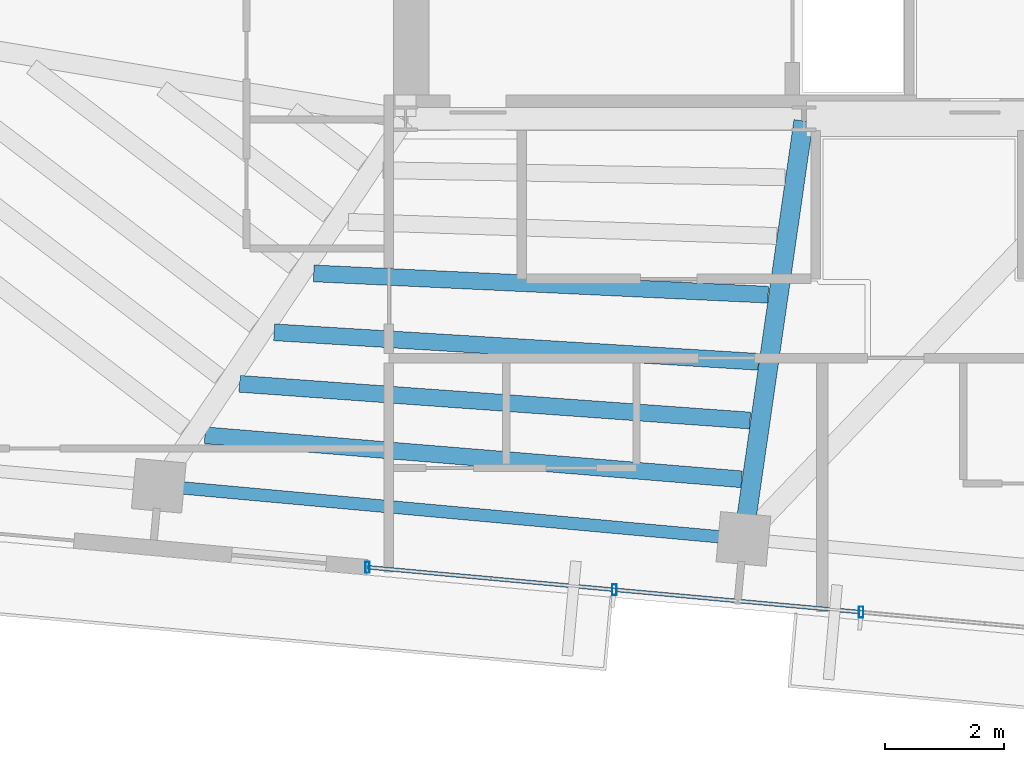
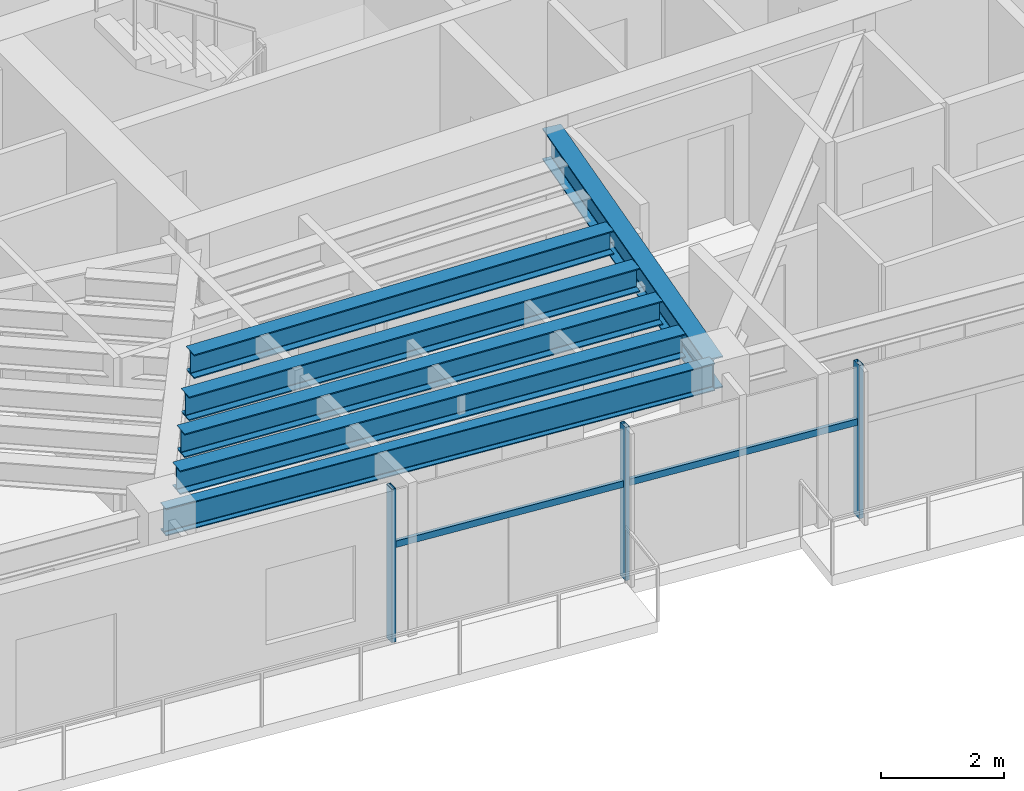
# One storey, part 6 of 22: 6 beams, 5 members, 1 element without a shape of its own.
"""IFC4 building model written with IfcOpenShell, lengths in metres."""

from ifc_helpers import new_model, si_unit, direction, frame, origin, origin_2d, place, context, subcontext, project, spatial, hollow_rectangle, i_section, extrude, source, transform, mapped, material, material_profile, profile_set, type_object, type_shapes, element, aggregate, save


model = new_model("IFC4")

# Units and contexts
model_context = context("Model", 3, precision=1e-05, world=origin(), true_north=direction((0.0, 1.0)))
body_context = subcontext(model_context, "Body", "Model", "MODEL_VIEW")
ifc_project = project(units=[si_unit("LENGTHUNIT", "METRE"), si_unit("AREAUNIT", "SQUARE_METRE"), si_unit("VOLUMEUNIT", "CUBIC_METRE"), si_unit("PLANEANGLEUNIT", "RADIAN"), si_unit("MASSUNIT", "GRAM", prefix="KILO")], contexts=[model_context])

# Site, building, storey
site_placement = place(None, origin())
site = spatial("IfcSite", under=ifc_project, at=site_placement, CompositionType="ELEMENT")
building_placement = place(site_placement, origin())
building = spatial("IfcBuilding", under=site, at=building_placement, Name="Astriad Promenade Condominiums", CompositionType="ELEMENT")
storey_placement = place(building_placement, frame((0.0, 0.0, 243.0)))
storey = spatial("IfcBuildingStorey", under=building, at=storey_placement, Name="L70", CompositionType="ELEMENT", Elevation=243.0)

# Beams
ifc_material_1 = material(Name="Steel ASTM A992 Grade 50", Category="steel")
ifc_material_profile_1 = material_profile(ifc_material_1, i_section(OverallWidth=0.210693359375, OverallDepth=0.53955078125, WebThickness=0.01171875, FlangeThickness=0.018798828125, FilletRadius=0.0166015625, at=origin_2d()), Name="W21X73")
ifc_profile_set_1 = profile_set([ifc_material_profile_1], Name="Steel ASTM A992 Grade 50")
beam_type_1 = type_object("IfcBeamType", Name="STEEL SPANDREL BEAM W21X73", PredefinedType="SPANDREL", material=ifc_profile_set_1)
shared_shape_1 = source(origin(), body_context, "Body", "SweptSolid", [
    extrude(i_section(OverallWidth=0.210693359375, OverallDepth=0.53955078125, WebThickness=0.01171875, FlangeThickness=0.018798828125, FilletRadius=0.0166015625, at=origin_2d()), origin(), (0.0, 0.0, 1.0), 9.81982421875),
])
type_shapes(beam_type_1, [shared_shape_1])
beam_1_placement = place(storey_placement, frame((22.281005859375, 11.205322265625, 2.770263671875), z_axis=(0.995885459014, -0.090620927631, 0.0), x_axis=(0.090620927631, 0.995885459014, 0.0)))
element("IfcBeam", 1, at=beam_1_placement, inside=storey, type_object=beam_type_1, Name="Perimeter Spandrel Beam SP-S2-L70", PredefinedType="SPANDREL", context=body_context, shape_type="MappedRepresentation", body=[
    mapped(shared_shape_1, transform((0.0, 0.0, 0.0), scale=1.0)),
])
ifc_material_profile_2 = material_profile(ifc_material_1, i_section(OverallWidth=0.326416015625, OverallDepth=0.621826171875, WebThickness=0.015380859375, FlangeThickness=0.0244140625, FilletRadius=0.017822265625, at=origin_2d()), Name="W24X131")
ifc_profile_set_2 = profile_set([ifc_material_profile_2], Name="Steel ASTM A992 Grade 50")
beam_type_2 = type_object("IfcBeamType", Name="STEEL FLOOR GIRDER W24X131", PredefinedType="BEAM", material=ifc_profile_set_2)
shared_shape_2 = source(origin(), body_context, "Body", "SweptSolid", [
    extrude(i_section(OverallWidth=0.326416015625, OverallDepth=0.621826171875, WebThickness=0.015380859375, FlangeThickness=0.0244140625, FilletRadius=0.017822265625, at=origin_2d()), origin(), (0.0, 0.0, 1.0), 7.081298828125),
])
type_shapes(beam_type_2, [shared_shape_2])
beam_2_placement = place(storey_placement, frame((32.10595703125, 10.351318359375, 2.72900390625), z_axis=(0.142391481124, 0.989810419274, 0.0), x_axis=(-0.989810419274, 0.142391481124, 0.0)))
element("IfcBeam", 2, at=beam_2_placement, inside=storey, type_object=beam_type_2, Name="Primary Floor Girder PG-C1-L70", PredefinedType="BEAM", context=body_context, shape_type="MappedRepresentation", body=[
    mapped(shared_shape_2, transform((0.0, 0.0, 0.0), scale=1.0)),
])
ifc_material_profile_3 = material_profile(ifc_material_1, i_section(OverallWidth=0.283203125, OverallDepth=0.47216796875, WebThickness=0.013671875, FlangeThickness=0.022216796875, FilletRadius=0.01513671875, at=origin_2d()), Name="W18X97")
ifc_profile_set_3 = profile_set([ifc_material_profile_3], Name="Steel ASTM A992 Grade 50")
beam_type_3 = type_object("IfcBeamType", Name="STEEL FLOOR JOIST W18X97", PredefinedType="JOIST", material=ifc_profile_set_3)
shared_shape_3 = source(origin(), body_context, "Body", "SweptSolid", [
    extrude(i_section(OverallWidth=0.283203125, OverallDepth=0.47216796875, WebThickness=0.013671875, FlangeThickness=0.022216796875, FilletRadius=0.01513671875, at=origin_2d()), origin(), (0.0, 0.0, 1.0), 9.08056640625),
])
beam_3_placement = place(storey_placement, frame((23.019775390625, 12.059814453125, 2.803955078125), z_axis=(0.996660857814, -0.081652522934, 0.0), x_axis=(0.081652522934, 0.996660857814, 0.0)))
element("IfcBeam", 3, at=beam_3_placement, inside=storey, type_object=beam_type_3, Name="Secondary Composite Floor Joist JCW-1-L70", PredefinedType="JOIST", context=body_context, shape_type="MappedRepresentation", body=[
    mapped(shared_shape_3, transform((0.0, 0.0, 0.0), scale=1.0)),
])
shared_shape_4 = source(origin(), body_context, "Body", "SweptSolid", [
    extrude(i_section(OverallWidth=0.283203125, OverallDepth=0.47216796875, WebThickness=0.013671875, FlangeThickness=0.022216796875, FilletRadius=0.01513671875, at=origin_2d()), origin(), (0.0, 0.0, 1.0), 8.631591796875),
])
beam_4_placement = place(storey_placement, frame((23.603271484375, 12.92822265625, 2.803955078125), z_axis=(0.997424124914, -0.071729457259, 0.0), x_axis=(0.071729457259, 0.997424124914, 0.0)))
element("IfcBeam", 4, at=beam_4_placement, inside=storey, type_object=beam_type_3, Name="Secondary Composite Floor Joist JCW-2-L70", PredefinedType="JOIST", context=body_context, shape_type="MappedRepresentation", body=[
    mapped(shared_shape_4, transform((0.0, 0.0, 0.0), scale=1.0)),
])
shared_shape_5 = source(origin(), body_context, "Body", "SweptSolid", [
    extrude(i_section(OverallWidth=0.283203125, OverallDepth=0.47216796875, WebThickness=0.013671875, FlangeThickness=0.022216796875, FilletRadius=0.01513671875, at=origin_2d()), origin(), (0.0, 0.0, 1.0), 8.183349609375),
])
beam_5_placement = place(storey_placement, frame((24.186767578125, 13.797119140625, 2.803955078125), z_axis=(0.998148077796, -0.06083103478, 0.0), x_axis=(0.06083103478, 0.998148077796, 0.0)))
element("IfcBeam", 5, at=beam_5_placement, inside=storey, type_object=beam_type_3, Name="Secondary Composite Floor Joist JCW-3-L70", PredefinedType="JOIST", context=body_context, shape_type="MappedRepresentation", body=[
    mapped(shared_shape_5, transform((0.0, 0.0, 0.0), scale=1.0)),
])
shared_shape_6 = source(origin(), body_context, "Body", "SweptSolid", [
    extrude(i_section(OverallWidth=0.283203125, OverallDepth=0.47216796875, WebThickness=0.013671875, FlangeThickness=0.022216796875, FilletRadius=0.01513671875, at=origin_2d()), origin(), (0.0, 0.0, 1.0), 7.672119140625),
])
type_shapes(beam_type_3, [shared_shape_3, shared_shape_4, shared_shape_5, shared_shape_6])
beam_6_placement = place(storey_placement, frame((24.85400390625, 14.790283203125, 2.803955078125), z_axis=(0.998903848677, -0.04680919886, 0.0), x_axis=(0.04680919886, 0.998903848677, 0.0)))
element("IfcBeam", 6, at=beam_6_placement, inside=storey, type_object=beam_type_3, Name="Secondary Composite Floor Joist JCW-4-L70", PredefinedType="JOIST", context=body_context, shape_type="MappedRepresentation", body=[
    mapped(shared_shape_6, transform((0.0, 0.0, 0.0), scale=1.0)),
])

# Curtain wall, members
ifc_material_2 = material(Name="Anodised aluminium Black Dark Glass Unitised", Category="aluminium")
curtain_wall_type = type_object("IfcCurtainWallType", Name="CW-B5-DARK", PredefinedType="USERDEFINED", material=ifc_material_2)
curtain_wall_placement = place(storey_placement, origin())
curtain_wall = element("IfcCurtainWall", 7, at=curtain_wall_placement, inside=storey, type_object=curtain_wall_type, Name="CW-L70-S", ObjectType="UNITISED_CURTAIN_WALL", PredefinedType="USERDEFINED")
ifc_material_3 = material(Name="Anodised aluminium 6063-T6 Black", Category="aluminium")
ifc_material_profile_4 = material_profile(ifc_material_3, hollow_rectangle(XDim=0.06494140625, YDim=0.1298828125, WallThickness=0.00390625, at=origin_2d()), Name="ALU-TRN-65X130")
ifc_profile_set_4 = profile_set([ifc_material_profile_4], Name="Anodised aluminium 6063-T6 Black")
member_type_1 = type_object("IfcMemberType", Name="TRN-ALU-TRN-65X130", PredefinedType="USERDEFINED", material=ifc_profile_set_4)
shared_shape_7 = source(origin(), body_context, "Body", "SweptSolid", [
    extrude(hollow_rectangle(XDim=0.06494140625, YDim=0.1298828125, WallThickness=0.00390625, at=origin_2d()), origin(), (0.0, 0.0, 1.0), 4.179931640625),
])
type_shapes(member_type_1, [shared_shape_7])
member_1_placement = place(storey_placement, frame((34.086669921875, 9.07666015625, 1.884765625), z_axis=(-0.995883146811, 0.090646334165, 0.0), x_axis=(-0.090646334165, -0.995883146811, 0.0)))
member_1 = element("IfcMember", 8, at=member_1_placement, type_object=member_type_1, Name="CW-L70-S-TRN-01-0", ObjectType="TRANSOM", PredefinedType="USERDEFINED", context=body_context, shape_type="MappedRepresentation", body=[
    mapped(shared_shape_7, transform((0.0, 0.0, 0.0), scale=1.0)),
])
member_2_placement = place(storey_placement, frame((29.923828125, 9.45556640625, 1.884765625), z_axis=(-0.995883146811, 0.090646334165, 0.0), x_axis=(-0.090646334165, -0.995883146811, 0.0)))
member_2 = element("IfcMember", 9, at=member_2_placement, type_object=member_type_1, Name="CW-L70-S-TRN-02-0", ObjectType="TRANSOM", PredefinedType="USERDEFINED", context=body_context, shape_type="MappedRepresentation", body=[
    mapped(shared_shape_7, transform((0.0, 0.0, 0.0), scale=1.0)),
])
ifc_material_profile_5 = material_profile(ifc_material_3, hollow_rectangle(XDim=0.074951171875, YDim=0.18505859375, WallThickness=0.00439453125, at=origin_2d()), Name="ALU-MUL-75X185")
ifc_profile_set_5 = profile_set([ifc_material_profile_5], Name="Anodised aluminium 6063-T6 Black")
member_type_2 = type_object("IfcMemberType", Name="MUL-ALU-MUL-75X185", PredefinedType="MULLION", material=ifc_profile_set_5)
shared_shape_8 = source(origin(), body_context, "Body", "SweptSolid", [
    extrude(hollow_rectangle(XDim=0.074951171875, YDim=0.18505859375, WallThickness=0.00439453125, at=origin_2d()), origin(), (0.0, 0.0, 1.0), 3.0400390625),
])
type_shapes(member_type_2, [shared_shape_8])
member_3_placement = place(storey_placement, frame((34.086669921875, 9.07666015625, 0.0), z_axis=(0.0, 0.0, 1.0), x_axis=(1.0, 0.0, 0.0)))
member_3 = element("IfcMember", 10, at=member_3_placement, type_object=member_type_2, Name="CW-L70-S-MUL-01", PredefinedType="MULLION", context=body_context, shape_type="MappedRepresentation", body=[
    mapped(shared_shape_8, transform((0.0, 0.0, 0.0), scale=1.0)),
])
member_4_placement = place(storey_placement, frame((29.923828125, 9.45556640625, 0.0), z_axis=(0.0, 0.0, 1.0), x_axis=(1.0, 0.0, 0.0)))
member_4 = element("IfcMember", 11, at=member_4_placement, type_object=member_type_2, Name="CW-L70-S-MUL-02", PredefinedType="MULLION", context=body_context, shape_type="MappedRepresentation", body=[
    mapped(shared_shape_8, transform((0.0, 0.0, 0.0), scale=1.0)),
])
member_5_placement = place(storey_placement, frame((25.760986328125, 9.83447265625, 0.0), z_axis=(0.0, 0.0, 1.0), x_axis=(1.0, 0.0, 0.0)))
member_5 = element("IfcMember", 12, at=member_5_placement, type_object=member_type_2, Name="CW-L70-S-MUL-03", PredefinedType="MULLION", context=body_context, shape_type="MappedRepresentation", body=[
    mapped(shared_shape_8, transform((0.0, 0.0, 0.0), scale=1.0)),
])
aggregate(curtain_wall, [member_3, member_4, member_5, member_1, member_2])

save(model, "model.ifc")
